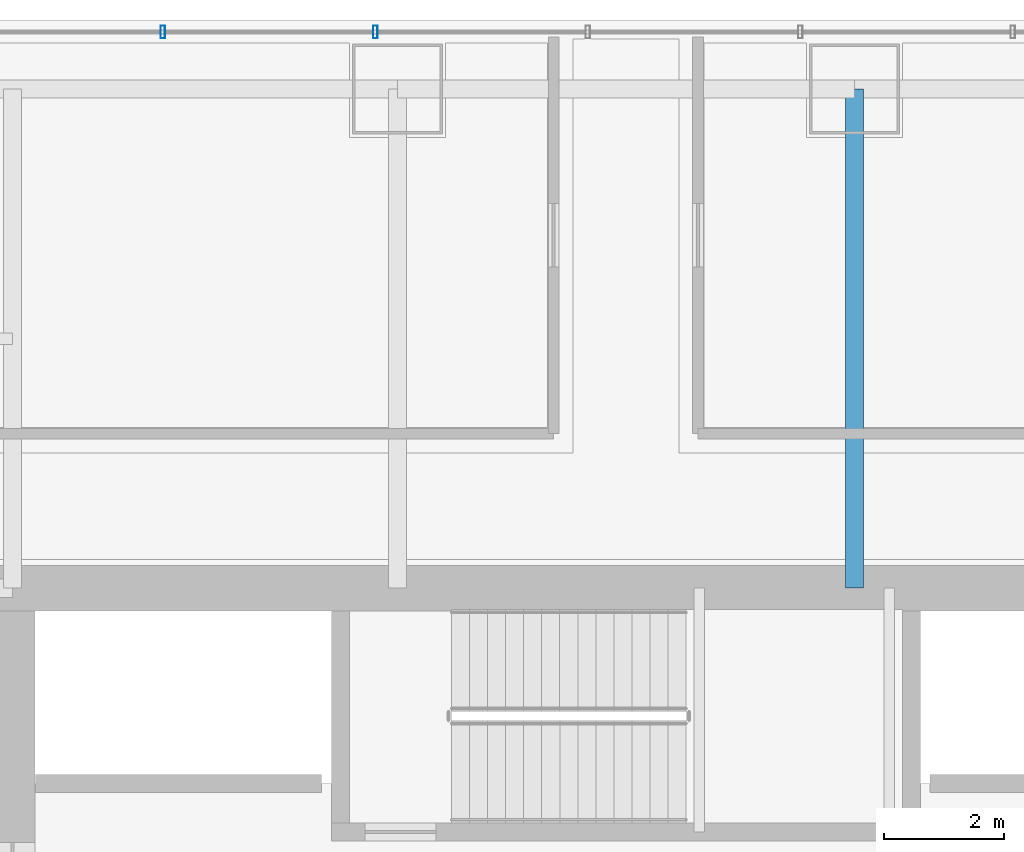
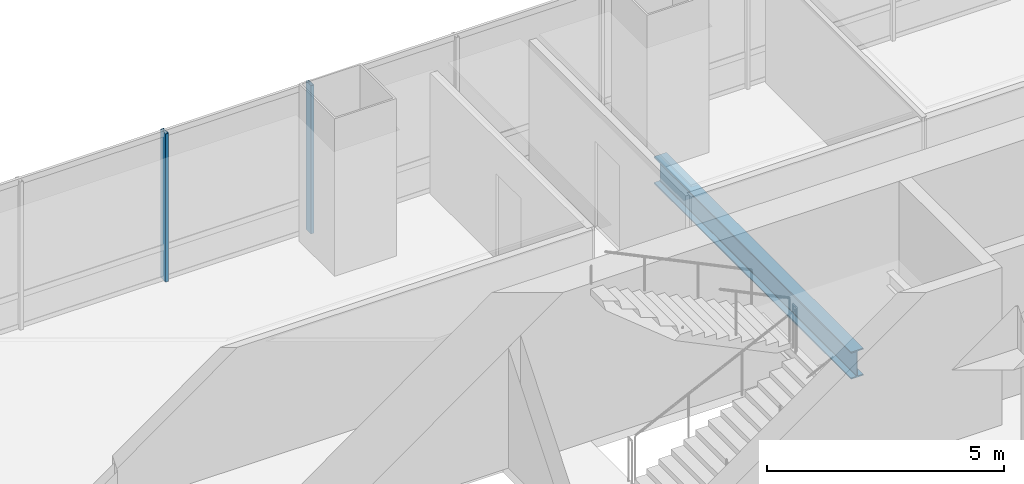
# One storey, part 21 of 36: 2 members, 1 beam, 1 element without a shape of its own.
"""IFC4 building model written with IfcOpenShell, lengths in metres."""

from ifc_helpers import new_model, si_unit, direction, frame, origin, origin_2d, place, context, subcontext, project, spatial, hollow_rectangle, i_section, extrude, material, material_profile, profile_set, type_object, element, aggregate, save


model = new_model("IFC4")

# Units and contexts
model_context = context("Model", 3, precision=1e-05, world=origin(), true_north=direction((0.0, 1.0)))
body_context = subcontext(model_context, "Body", "Model", "MODEL_VIEW")
ifc_project = project(units=[si_unit("LENGTHUNIT", "METRE"), si_unit("AREAUNIT", "SQUARE_METRE"), si_unit("VOLUMEUNIT", "CUBIC_METRE"), si_unit("PLANEANGLEUNIT", "RADIAN"), si_unit("MASSUNIT", "GRAM", prefix="KILO")], contexts=[model_context])

# Site, building, storey
site_placement = place(None, origin())
site = spatial("IfcSite", under=ifc_project, at=site_placement, CompositionType="ELEMENT")
building_placement = place(site_placement, origin())
building = spatial("IfcBuilding", under=site, at=building_placement, Name="Punatoya Terracotta Tower", CompositionType="ELEMENT")
storey_placement = place(building_placement, frame((0.0, 0.0, 32.25)))
storey = spatial("IfcBuildingStorey", under=building, at=storey_placement, Name="L06", CompositionType="ELEMENT", Elevation=32.25)

# Beam
ifc_material_1 = material(Name="Steel S355", Category="steel")
ifc_material_profile_1 = material_profile(ifc_material_1, i_section(OverallWidth=0.300048828125, OverallDepth=0.699951171875, WebThickness=0.01708984375, FlangeThickness=0.031982421875, FilletRadius=0.01806640625, at=origin_2d()))
ifc_profile_set_1 = profile_set([ifc_material_profile_1], Name="Steel S355")
beam_type = type_object("IfcBeamType", Name="BM-PRI-700", PredefinedType="BEAM", material=ifc_profile_set_1)
beam_placement = place(storey_placement, frame((3.800048828125, 9.199951171875, -0.590087890625), z_axis=(0.0, 1.0, 0.0), x_axis=(-1.0, 0.0, 0.0)))
element("IfcBeam", 1, at=beam_placement, inside=storey, type_object=beam_type, Name="BM-L06-PR-N3", PredefinedType="BEAM", context=body_context, shape_type="SweptSolid", body=[
    extrude(i_section(OverallWidth=0.300048828125, OverallDepth=0.699951171875, WebThickness=0.01708984375, FlangeThickness=0.031982421875, FilletRadius=0.01806640625, at=origin_2d()), origin(), (0.0, 0.0, 1.0), 8.300048828125),
])

# Curtain wall, members
ifc_material_2 = material(Name="Aluminium 6063-T6 + Double Low-E Glass", Category="aluminium")
curtain_wall_type = type_object("IfcCurtainWallType", Name="CW-M1", PredefinedType="NOTDEFINED", material=ifc_material_2)
curtain_wall_placement = place(storey_placement, origin())
curtain_wall = element("IfcCurtainWall", 2, at=curtain_wall_placement, inside=storey, type_object=curtain_wall_type, Name="L06 Curtain Wall CW-L06-N09-1", PredefinedType="NOTDEFINED")
ifc_material_3 = material(Name="Aluminium 6063-T6", Category="aluminium")
ifc_material_profile_2 = material_profile(ifc_material_3, hollow_rectangle(XDim=0.074951171875, YDim=0.2099609375, WallThickness=0.00439453125, at=origin_2d()))
ifc_profile_set_2 = profile_set([ifc_material_profile_2], Name="Aluminium 6063-T6")
member_type = type_object("IfcMemberType", Name="CW-MUL-M1", PredefinedType="MULLION", material=ifc_profile_set_2)
member_1_placement = place(storey_placement, frame((-4.1669921875, 18.449951171875, 0.0), z_axis=(0.0, 0.0, 1.0), x_axis=(1.0, 0.0, 0.0)))
member_1 = element("IfcMember", 3, at=member_1_placement, type_object=member_type, Name="CW-L06-N09-1 Mullion 06", PredefinedType="MULLION", context=body_context, shape_type="SweptSolid", body=[
    extrude(hollow_rectangle(XDim=0.074951171875, YDim=0.2099609375, WallThickness=0.00439453125, at=origin_2d()), origin(), (0.0, 0.0, 1.0), 3.81005859375),
])
member_2_placement = place(storey_placement, frame((-7.700927734375, 18.449951171875, 0.0), z_axis=(0.0, 0.0, 1.0), x_axis=(1.0, 0.0, 0.0)))
member_2 = element("IfcMember", 4, at=member_2_placement, type_object=member_type, Name="CW-L06-N09-1 Mullion 07", PredefinedType="MULLION", context=body_context, shape_type="SweptSolid", body=[
    extrude(hollow_rectangle(XDim=0.074951171875, YDim=0.2099609375, WallThickness=0.00439453125, at=origin_2d()), origin(), (0.0, 0.0, 1.0), 3.81005859375),
])
aggregate(curtain_wall, [member_1, member_2])

save(model, "model.ifc")
